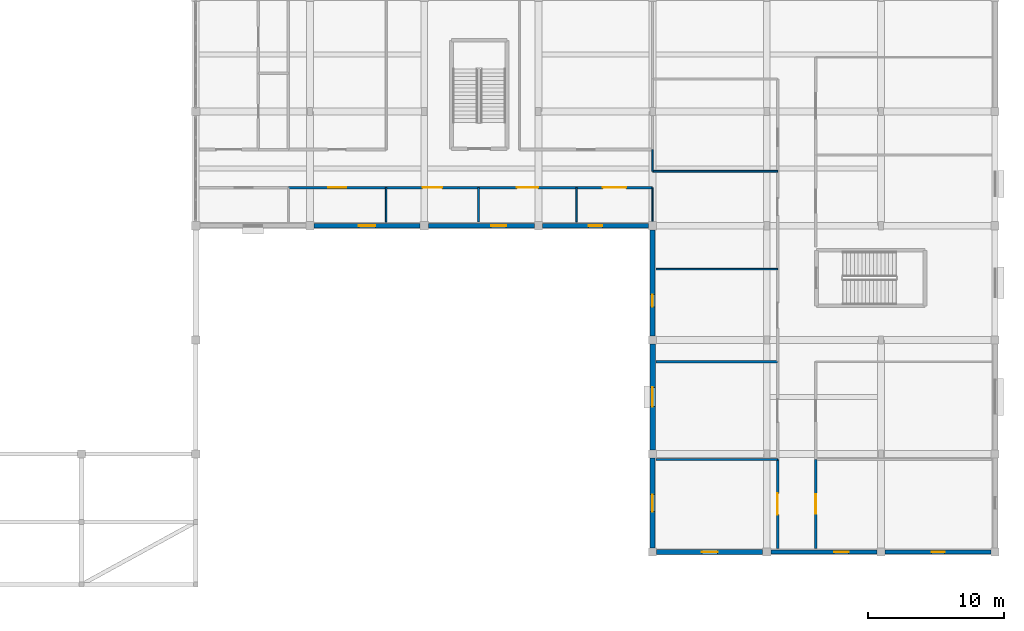
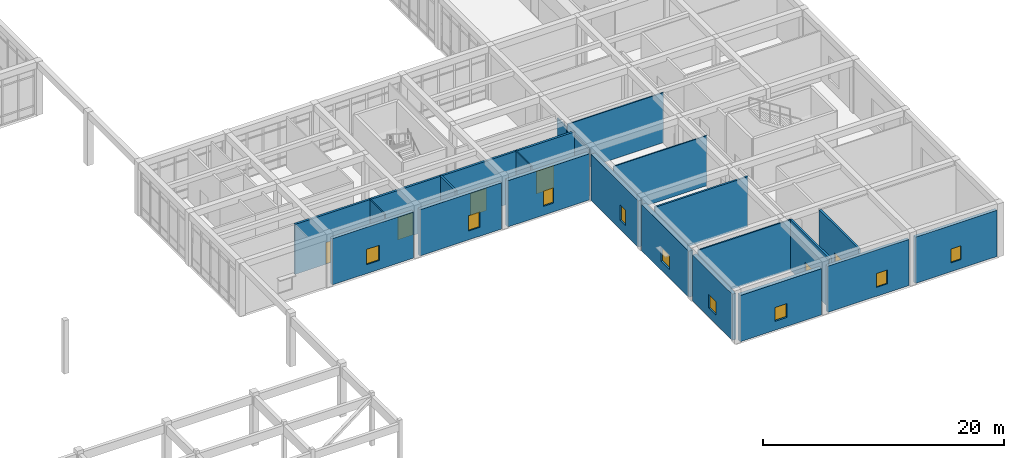
# One storey, part 64 of 89: 24 walls, 9 windows, 6 doors, 15 openings.
"""IFC4 building model written with IfcOpenShell, lengths in metres."""

from ifc_helpers import new_model, si_unit, direction, frame, frame_2d, origin, place, context, subcontext, project, spatial, rectangle, extrude, material, layer, layer_set, type_object, element, fill, save


model = new_model("IFC4")

# Units and contexts
model_context = context("Model", 3, precision=1e-05, world=origin(), true_north=direction((0.0, 1.0)))
body_context = subcontext(model_context, "Body", "Model", "MODEL_VIEW")
ifc_project = project(units=[si_unit("LENGTHUNIT", "METRE"), si_unit("AREAUNIT", "SQUARE_METRE"), si_unit("VOLUMEUNIT", "CUBIC_METRE"), si_unit("PLANEANGLEUNIT", "RADIAN"), si_unit("MASSUNIT", "GRAM", prefix="KILO")], contexts=[model_context])

# Site, building, storey
site_placement = place(None, origin())
site = spatial("IfcSite", under=ifc_project, at=site_placement, CompositionType="ELEMENT")
building_placement = place(site_placement, origin())
building = spatial("IfcBuilding", under=site, at=building_placement, Name="Varncliffe General Hospital", CompositionType="ELEMENT")
storey_placement = place(building_placement, frame((0.0, 0.0, 10.800048828125)))
storey = spatial("IfcBuildingStorey", under=building, at=storey_placement, Name="L02", CompositionType="ELEMENT", Elevation=10.800048828125)

# Wall, opening, window
ifc_material_1 = material(Name="Precast concrete C40/50 with insulated cream lime-cement stucco", Category="concrete")
ifc_layer_1 = layer(ifc_material_1, 0.31005859375)
ifc_layer_set_1 = layer_set([ifc_layer_1], Name="Precast concrete C40/50 with insulated cream lime-cement stucco")
wall_type_1 = type_object("IfcWallType", Name="Exterior Insulated Stucco Wall EW20 (310mm)", PredefinedType="SOLIDWALL", material=ifc_layer_set_1)
wall_1_placement = place(storey_placement, frame((176.10205078125, 0.0, 0.0), z_axis=(0.0, 0.0, 1.0), x_axis=(-1.0, 0.0, 0.0)))
wall_1 = element("IfcWall", 1, at=wall_1_placement, inside=storey, type_object=wall_type_1, Name="L02 Exterior Stucco Wall EW20-211", PredefinedType="SOLIDWALL", context=body_context, shape_type="SweptSolid", body=[
    extrude(rectangle(XDim=7.803955078125, YDim=0.31005859375, at=frame_2d((3.90185546875, 0.0))), origin(), (0.0, 0.0, 1.0), 4.679931640625),
])
opening_1_placement = place(wall_1_placement, frame((3.427001953125, 0.0, 0.89990234375)))
opening_1 = element("IfcOpeningElement", 2, at=opening_1_placement, cuts=wall_1, Name="Opening WN39", PredefinedType="OPENING", context=body_context, shape_type="SweptSolid", body=[
    extrude(rectangle(XDim=0.949951171875, YDim=1.39990234375, at=frame_2d((0.47509765625, 0.699951171875))), frame((0.0, 0.1650390625, 0.0), z_axis=(0.0, -1.0, 0.0), x_axis=(1.0, 0.0, 0.0)), (0.0, 0.0, 1.0), 0.330078125),
])
ifc_material_2 = material(Name="Triple low-E argon insulated vision glazing", Category="glass")
window_type_1 = type_object("IfcWindowType", Name="Triple-Glazed Hospital Window WN39 (950x1400)", PartitioningType="SINGLE_PANEL", PredefinedType="WINDOW", material=ifc_material_2)
window_1_placement = place(opening_1_placement, origin())
window_1 = element("IfcWindow", 3, at=window_1_placement, inside=storey, type_object=window_type_1, Name="L02 Hospital Window WN39-134", OverallHeight=1.39990234375, OverallWidth=0.949951171875, PartitioningType="SINGLE_PANEL", PredefinedType="WINDOW", context=body_context, shape_type="SweptSolid", body=[
    extrude(rectangle(XDim=0.949951171875, YDim=1.39990234375, at=frame_2d((0.47509765625, 0.699951171875))), frame((0.0, 0.030029296875, 0.0), z_axis=(0.0, -1.0, 0.0), x_axis=(1.0, 0.0, 0.0)), (0.0, 0.0, 1.0), 0.06005859375),
])
fill(opening_1, window_1)

wall_2_placement = place(storey_placement, frame((134.10205078125, 24.0, 0.0), z_axis=(0.0, 0.0, 1.0), x_axis=(-1.0, 0.0, 0.0)))
wall_2 = element("IfcWall", 4, at=wall_2_placement, inside=storey, type_object=wall_type_1, Name="L02 Exterior Stucco Wall EW20-219", PredefinedType="SOLIDWALL", context=body_context, shape_type="SweptSolid", body=[
    extrude(rectangle(XDim=7.803955078125, YDim=0.31005859375, at=frame_2d((3.90185546875, 0.0))), origin(), (0.0, 0.0, 1.0), 4.679931640625),
])
opening_2_placement = place(wall_2_placement, frame((3.302001953125, 0.0, 0.89990234375)))
opening_2 = element("IfcOpeningElement", 5, at=opening_2_placement, cuts=wall_2, Name="Opening WN33", PredefinedType="OPENING", context=body_context, shape_type="SweptSolid", body=[
    extrude(rectangle(XDim=1.199951171875, YDim=1.550048828125, at=frame_2d((0.60009765625, 0.77490234375))), frame((0.0, 0.1650390625, 0.0), z_axis=(0.0, -1.0, 0.0), x_axis=(1.0, 0.0, 0.0)), (0.0, 0.0, 1.0), 0.330078125),
])
window_type_2 = type_object("IfcWindowType", Name="Triple-Glazed Hospital Window WN33 (1200x1550)", PartitioningType="SINGLE_PANEL", PredefinedType="WINDOW", material=ifc_material_2)
window_2_placement = place(opening_2_placement, origin())
window_2 = element("IfcWindow", 6, at=window_2_placement, inside=storey, type_object=window_type_2, Name="L02 Hospital Window WN33-142", OverallHeight=1.550048828125, OverallWidth=1.199951171875, PartitioningType="SINGLE_PANEL", PredefinedType="WINDOW", context=body_context, shape_type="SweptSolid", body=[
    extrude(rectangle(XDim=1.199951171875, YDim=1.550048828125, at=frame_2d((0.60009765625, 0.77490234375))), frame((0.0, 0.030029296875, 0.0), z_axis=(0.0, -1.0, 0.0), x_axis=(1.0, 0.0, 0.0)), (0.0, 0.0, 1.0), 0.06005859375),
])
fill(opening_2, window_2)

ifc_layer_2 = layer(ifc_material_1, 0.3798828125)
ifc_layer_set_2 = layer_set([ifc_layer_2], Name="Precast concrete C40/50 with insulated cream lime-cement stucco")
wall_type_2 = type_object("IfcWallType", Name="Exterior Insulated Stucco Wall EW26 (380mm)", PredefinedType="SOLIDWALL", material=ifc_layer_set_2)
wall_3_placement = place(storey_placement, frame((159.302001953125, 0.0, 0.0), z_axis=(0.0, 0.0, 1.0), x_axis=(-1.0, 0.0, 0.0)))
wall_3 = element("IfcWall", 7, at=wall_3_placement, inside=storey, type_object=wall_type_2, Name="L02 Exterior Stucco Wall EW26-213", PredefinedType="SOLIDWALL", context=body_context, shape_type="SweptSolid", body=[
    extrude(rectangle(XDim=7.803955078125, YDim=0.3798828125, at=frame_2d((3.90185546875, 0.0))), origin(), (0.0, 0.0, 1.0), 4.679931640625),
])
opening_3_placement = place(wall_3_placement, frame((3.326904296875, 0.0, 0.89990234375)))
opening_3 = element("IfcOpeningElement", 8, at=opening_3_placement, cuts=wall_3, Name="Opening WN62", PredefinedType="OPENING", context=body_context, shape_type="SweptSolid", body=[
    extrude(rectangle(XDim=1.14990234375, YDim=1.39990234375, at=frame_2d((0.574951171875, 0.699951171875))), frame((0.0, 0.199951171875, 0.0), z_axis=(0.0, -1.0, 0.0), x_axis=(1.0, 0.0, 0.0)), (0.0, 0.0, 1.0), 0.39990234375),
])
window_type_3 = type_object("IfcWindowType", Name="Triple-Glazed Hospital Window WN62 (1150x1400)", PartitioningType="SINGLE_PANEL", PredefinedType="WINDOW", material=ifc_material_2)
window_3_placement = place(opening_3_placement, origin())
window_3 = element("IfcWindow", 9, at=window_3_placement, inside=storey, type_object=window_type_3, Name="L02 Hospital Window WN62-136", OverallHeight=1.39990234375, OverallWidth=1.14990234375, PartitioningType="SINGLE_PANEL", PredefinedType="WINDOW", context=body_context, shape_type="SweptSolid", body=[
    extrude(rectangle(XDim=1.14990234375, YDim=1.39990234375, at=frame_2d((0.574951171875, 0.699951171875))), frame((0.0, 0.030029296875, 0.0), z_axis=(0.0, -1.0, 0.0), x_axis=(1.0, 0.0, 0.0)), (0.0, 0.0, 1.0), 0.06005859375),
])
fill(opening_3, window_3)

wall_4_placement = place(storey_placement, frame((151.199951171875, 15.89794921875, 0.0), z_axis=(0.0, 0.0, 1.0), x_axis=(0.0, 1.0, 0.0)))
wall_4 = element("IfcWall", 10, at=wall_4_placement, inside=storey, type_object=wall_type_2, Name="L02 Exterior Stucco Wall EW26-216", PredefinedType="SOLIDWALL", context=body_context, shape_type="SweptSolid", body=[
    extrude(rectangle(XDim=7.803955078125, YDim=0.3798828125, at=frame_2d((3.90185546875, 0.0))), origin(), (0.0, 0.0, 1.0), 4.679931640625),
])
opening_4_placement = place(wall_4_placement, frame((2.131103515625, 0.0, 0.89990234375)))
opening_4 = element("IfcOpeningElement", 11, at=opening_4_placement, cuts=wall_4, Name="Opening WN45", PredefinedType="OPENING", context=body_context, shape_type="SweptSolid", body=[
    extrude(rectangle(XDim=0.89990234375, YDim=1.550048828125, at=frame_2d((0.449951171875, 0.77490234375))), frame((0.0, 0.199951171875, 0.0), z_axis=(0.0, -1.0, 0.0), x_axis=(1.0, 0.0, 0.0)), (0.0, 0.0, 1.0), 0.39990234375),
])
window_type_4 = type_object("IfcWindowType", Name="Triple-Glazed Hospital Window WN45 (900x1550)", PartitioningType="SINGLE_PANEL", PredefinedType="WINDOW", material=ifc_material_2)
window_4_placement = place(opening_4_placement, origin())
window_4 = element("IfcWindow", 12, at=window_4_placement, inside=storey, type_object=window_type_4, Name="L02 Hospital Window WN45-139", OverallHeight=1.550048828125, OverallWidth=0.89990234375, PartitioningType="SINGLE_PANEL", PredefinedType="WINDOW", context=body_context, shape_type="SweptSolid", body=[
    extrude(rectangle(XDim=0.89990234375, YDim=1.550048828125, at=frame_2d((0.449951171875, 0.77490234375))), frame((0.0, 0.030029296875, 0.0), z_axis=(0.0, -1.0, 0.0), x_axis=(1.0, 0.0, 0.0)), (0.0, 0.0, 1.0), 0.06005859375),
])
fill(opening_4, window_4)

ifc_layer_3 = layer(ifc_material_1, 0.2900390625)
ifc_layer_set_3 = layer_set([ifc_layer_3], Name="Precast concrete C40/50 with insulated cream lime-cement stucco")
wall_type_3 = type_object("IfcWallType", Name="Exterior Insulated Stucco Wall EW31 (290mm)", PredefinedType="SOLIDWALL", material=ifc_layer_set_3)
wall_5_placement = place(storey_placement, frame((167.701904296875, 0.0, 0.0), z_axis=(0.0, 0.0, 1.0), x_axis=(-1.0, 0.0, 0.0)))
wall_5 = element("IfcWall", 13, at=wall_5_placement, inside=storey, type_object=wall_type_3, Name="L02 Exterior Stucco Wall EW31-212", PredefinedType="SOLIDWALL", context=body_context, shape_type="SweptSolid", body=[
    extrude(rectangle(XDim=7.803955078125, YDim=0.2900390625, at=frame_2d((3.90185546875, 0.0))), origin(), (0.0, 0.0, 1.0), 4.679931640625),
])
opening_5_placement = place(wall_5_placement, frame((2.089111328125, 0.0, 0.89990234375)))
opening_5 = element("IfcOpeningElement", 14, at=opening_5_placement, cuts=wall_5, Name="Opening WN68", PredefinedType="OPENING", context=body_context, shape_type="SweptSolid", body=[
    extrude(rectangle(XDim=1.050048828125, YDim=1.39990234375, at=frame_2d((0.52490234375, 0.699951171875))), frame((0.0, 0.155029296875, 0.0), z_axis=(0.0, -1.0, 0.0), x_axis=(1.0, 0.0, 0.0)), (0.0, 0.0, 1.0), 0.31005859375),
])
window_type_5 = type_object("IfcWindowType", Name="Triple-Glazed Hospital Window WN68 (1050x1400)", PartitioningType="SINGLE_PANEL", PredefinedType="WINDOW", material=ifc_material_2)
window_5_placement = place(opening_5_placement, origin())
window_5 = element("IfcWindow", 15, at=window_5_placement, inside=storey, type_object=window_type_5, Name="L02 Hospital Window WN68-135", OverallHeight=1.39990234375, OverallWidth=1.050048828125, PartitioningType="SINGLE_PANEL", PredefinedType="WINDOW", context=body_context, shape_type="SweptSolid", body=[
    extrude(rectangle(XDim=1.050048828125, YDim=1.39990234375, at=frame_2d((0.52490234375, 0.699951171875))), frame((0.0, 0.030029296875, 0.0), z_axis=(0.0, -1.0, 0.0), x_axis=(1.0, 0.0, 0.0)), (0.0, 0.0, 1.0), 0.06005859375),
])
fill(opening_5, window_5)

ifc_layer_4 = layer(ifc_material_1, 0.330078125)
ifc_layer_set_4 = layer_set([ifc_layer_4], Name="Precast concrete C40/50 with insulated cream lime-cement stucco")
wall_type_4 = type_object("IfcWallType", Name="Exterior Insulated Stucco Wall EW33 (330mm)", PredefinedType="SOLIDWALL", material=ifc_layer_set_4)
wall_6_placement = place(storey_placement, frame((142.501953125, 24.0, 0.0), z_axis=(0.0, 0.0, 1.0), x_axis=(-1.0, 0.0, 0.0)))
wall_6 = element("IfcWall", 16, at=wall_6_placement, inside=storey, type_object=wall_type_4, Name="L02 Exterior Stucco Wall EW33-218", PredefinedType="SOLIDWALL", context=body_context, shape_type="SweptSolid", body=[
    extrude(rectangle(XDim=7.803955078125, YDim=0.330078125, at=frame_2d((3.90185546875, 0.0))), origin(), (0.0, 0.0, 1.0), 4.679931640625),
])
opening_6_placement = place(wall_6_placement, frame((2.0751953125, 0.0, 0.89990234375)))
opening_6 = element("IfcOpeningElement", 17, at=opening_6_placement, cuts=wall_6, Name="Opening WN69", PredefinedType="OPENING", context=body_context, shape_type="SweptSolid", body=[
    extrude(rectangle(XDim=1.10009765625, YDim=1.550048828125, at=frame_2d((0.550048828125, 0.77490234375))), frame((0.0, 0.175048828125, 0.0), z_axis=(0.0, -1.0, 0.0), x_axis=(1.0, 0.0, 0.0)), (0.0, 0.0, 1.0), 0.35009765625),
])
window_type_6 = type_object("IfcWindowType", Name="Triple-Glazed Hospital Window WN69 (1100x1550)", PartitioningType="SINGLE_PANEL", PredefinedType="WINDOW", material=ifc_material_2)
window_6_placement = place(opening_6_placement, origin())
window_6 = element("IfcWindow", 18, at=window_6_placement, inside=storey, type_object=window_type_6, Name="L02 Hospital Window WN69-141", OverallHeight=1.550048828125, OverallWidth=1.10009765625, PartitioningType="SINGLE_PANEL", PredefinedType="WINDOW", context=body_context, shape_type="SweptSolid", body=[
    extrude(rectangle(XDim=1.10009765625, YDim=1.550048828125, at=frame_2d((0.550048828125, 0.77490234375))), frame((0.0, 0.030029296875, 0.0), z_axis=(0.0, -1.0, 0.0), x_axis=(1.0, 0.0, 0.0)), (0.0, 0.0, 1.0), 0.06005859375),
])
fill(opening_6, window_6)

ifc_layer_5 = layer(ifc_material_1, 0.35009765625)
ifc_layer_set_5 = layer_set([ifc_layer_5], Name="Precast concrete C40/50 with insulated cream lime-cement stucco")
wall_type_5 = type_object("IfcWallType", Name="Exterior Insulated Stucco Wall EW37 (350mm)", PredefinedType="SOLIDWALL", material=ifc_layer_set_5)
wall_7_placement = place(storey_placement, frame((151.199951171875, 0.298095703125, 0.0), z_axis=(0.0, 0.0, 1.0), x_axis=(0.0, 1.0, 0.0)))
wall_7 = element("IfcWall", 19, at=wall_7_placement, inside=storey, type_object=wall_type_5, Name="L02 Exterior Stucco Wall EW37-214", PredefinedType="SOLIDWALL", context=body_context, shape_type="SweptSolid", body=[
    extrude(rectangle(XDim=6.60400390625, YDim=0.35009765625, at=frame_2d((3.302001953125, 0.0))), origin(), (0.0, 0.0, 1.0), 4.679931640625),
])
opening_7_placement = place(wall_7_placement, frame((2.677001953125, 0.0, 0.89990234375)))
opening_7 = element("IfcOpeningElement", 20, at=opening_7_placement, cuts=wall_7, Name="Opening WN43", PredefinedType="OPENING", context=body_context, shape_type="SweptSolid", body=[
    extrude(rectangle(XDim=1.25, YDim=1.39990234375, at=frame_2d((0.625, 0.699951171875))), frame((0.0, 0.18505859375, 0.0), z_axis=(0.0, -1.0, 0.0), x_axis=(1.0, 0.0, 0.0)), (0.0, 0.0, 1.0), 0.3701171875),
])
window_type_7 = type_object("IfcWindowType", Name="Triple-Glazed Hospital Window WN43 (1250x1400)", PartitioningType="SINGLE_PANEL", PredefinedType="WINDOW", material=ifc_material_2)
window_7_placement = place(opening_7_placement, origin())
window_7 = element("IfcWindow", 21, at=window_7_placement, inside=storey, type_object=window_type_7, Name="L02 Hospital Window WN43-137", OverallHeight=1.39990234375, OverallWidth=1.25, PartitioningType="SINGLE_PANEL", PredefinedType="WINDOW", context=body_context, shape_type="SweptSolid", body=[
    extrude(rectangle(XDim=1.25, YDim=1.39990234375, at=frame_2d((0.625, 0.699951171875))), frame((0.0, 0.030029296875, 0.0), z_axis=(0.0, -1.0, 0.0), x_axis=(1.0, 0.0, 0.0)), (0.0, 0.0, 1.0), 0.06005859375),
])
fill(opening_7, window_7)

wall_8_placement = place(storey_placement, frame((150.902099609375, 24.0, 0.0), z_axis=(0.0, 0.0, 1.0), x_axis=(-1.0, 0.0, 0.0)))
wall_8 = element("IfcWall", 22, at=wall_8_placement, inside=storey, type_object=wall_type_5, Name="L02 Exterior Stucco Wall EW37-217", PredefinedType="SOLIDWALL", context=body_context, shape_type="SweptSolid", body=[
    extrude(rectangle(XDim=7.80419921875, YDim=0.35009765625, at=frame_2d((3.902099609375, 0.0))), origin(), (0.0, 0.0, 1.0), 4.679931640625),
])
opening_8_placement = place(wall_8_placement, frame((3.402099609375, 0.0, 0.89990234375)))
opening_8 = element("IfcOpeningElement", 23, at=opening_8_placement, cuts=wall_8, Name="Opening WN21", PredefinedType="OPENING", context=body_context, shape_type="SweptSolid", body=[
    extrude(rectangle(XDim=1.0, YDim=1.550048828125, at=frame_2d((0.5, 0.77490234375))), frame((0.0, 0.18505859375, 0.0), z_axis=(0.0, -1.0, 0.0), x_axis=(1.0, 0.0, 0.0)), (0.0, 0.0, 1.0), 0.3701171875),
])
window_type_8 = type_object("IfcWindowType", Name="Triple-Glazed Hospital Window WN21 (1000x1550)", PartitioningType="SINGLE_PANEL", PredefinedType="WINDOW", material=ifc_material_2)
window_8_placement = place(opening_8_placement, origin())
window_8 = element("IfcWindow", 24, at=window_8_placement, inside=storey, type_object=window_type_8, Name="L02 Hospital Window WN21-140", OverallHeight=1.550048828125, OverallWidth=1.0, PartitioningType="SINGLE_PANEL", PredefinedType="WINDOW", context=body_context, shape_type="SweptSolid", body=[
    extrude(rectangle(XDim=1.0, YDim=1.550048828125, at=frame_2d((0.5, 0.77490234375))), frame((0.0, 0.030029296875, 0.0), z_axis=(0.0, -1.0, 0.0), x_axis=(1.0, 0.0, 0.0)), (0.0, 0.0, 1.0), 0.06005859375),
])
fill(opening_8, window_8)

ifc_layer_6 = layer(ifc_material_1, 0.39990234375)
ifc_layer_set_6 = layer_set([ifc_layer_6], Name="Precast concrete C40/50 with insulated cream lime-cement stucco")
wall_type_6 = type_object("IfcWallType", Name="Exterior Insulated Stucco Wall EW47 (400mm)", PredefinedType="SOLIDWALL", material=ifc_layer_set_6)
wall_9_placement = place(storey_placement, frame((151.199951171875, 7.498046875, 0.0), z_axis=(0.0, 0.0, 1.0), x_axis=(0.0, 1.0, 0.0)))
wall_9 = element("IfcWall", 25, at=wall_9_placement, inside=storey, type_object=wall_type_6, Name="L02 Exterior Stucco Wall EW47-215", PredefinedType="SOLIDWALL", context=body_context, shape_type="SweptSolid", body=[
    extrude(rectangle(XDim=7.803955078125, YDim=0.39990234375, at=frame_2d((3.90185546875, 0.0))), origin(), (0.0, 0.0, 1.0), 4.679931640625),
])
opening_9_placement = place(wall_9_placement, frame((3.201904296875, 0.0, 0.89990234375)))
opening_9 = element("IfcOpeningElement", 26, at=opening_9_placement, cuts=wall_9, Name="Opening WN76", PredefinedType="OPENING", context=body_context, shape_type="SweptSolid", body=[
    extrude(rectangle(XDim=1.39990234375, YDim=1.39990234375, at=frame_2d((0.699951171875, 0.699951171875))), frame((0.0, 0.2099609375, 0.0), z_axis=(0.0, -1.0, 0.0), x_axis=(1.0, 0.0, 0.0)), (0.0, 0.0, 1.0), 0.419921875),
])
window_type_9 = type_object("IfcWindowType", Name="Triple-Glazed Hospital Window WN76 (1400x1400)", PartitioningType="SINGLE_PANEL", PredefinedType="WINDOW", material=ifc_material_2)
window_9_placement = place(opening_9_placement, origin())
window_9 = element("IfcWindow", 27, at=window_9_placement, inside=storey, type_object=window_type_9, Name="L02 Hospital Window WN76-138", OverallHeight=1.39990234375, OverallWidth=1.39990234375, PartitioningType="SINGLE_PANEL", PredefinedType="WINDOW", context=body_context, shape_type="SweptSolid", body=[
    extrude(rectangle(XDim=1.39990234375, YDim=1.39990234375, at=frame_2d((0.699951171875, 0.699951171875))), frame((0.0, 0.030029296875, 0.0), z_axis=(0.0, -1.0, 0.0), x_axis=(1.0, 0.0, 0.0)), (0.0, 0.0, 1.0), 0.06005859375),
])
fill(opening_9, window_9)

# Walls
ifc_material_3 = material(Name="Acoustic clinical gypsum stud partition assembly", Category="gypsum")
ifc_layer_7 = layer(ifc_material_3, 0.1298828125)
ifc_layer_set_7 = layer_set([ifc_layer_7], Name="Acoustic clinical gypsum stud partition assembly")
wall_type_7 = type_object("IfcWallType", Name="Interior Partitioning IW11 (130mm)", PredefinedType="PARTITIONING", material=ifc_layer_set_7)
wall_10_placement = place(storey_placement, frame((151.4599609375, 6.800048828125, 0.0), z_axis=(0.0, 0.0, 1.0), x_axis=(1.0, 0.0, 0.0)))
element("IfcWall", 28, at=wall_10_placement, inside=storey, type_object=wall_type_7, Name="L02 Interior Partition Wall IW11-893", PredefinedType="PARTITIONING", context=body_context, shape_type="SweptSolid", body=[
    extrude(rectangle(XDim=8.93994140625, YDim=0.1298828125, at=frame_2d((4.469970703125, 0.0))), origin(), (0.0, 0.0, 1.0), 5.070068359375),
])
wall_11_placement = place(storey_placement, frame((151.199951171875, 28.0, 0.0), z_axis=(0.0, 0.0, 1.0), x_axis=(1.0, 0.0, 0.0)))
element("IfcWall", 29, at=wall_11_placement, inside=storey, type_object=wall_type_7, Name="L02 Interior Partition Wall IW11-903", PredefinedType="PARTITIONING", context=body_context, shape_type="SweptSolid", body=[
    extrude(rectangle(XDim=9.199951171875, YDim=0.1298828125, at=frame_2d((4.60009765625, 0.0))), origin(), (0.0, 0.0, 1.0), 5.070068359375),
])
ifc_layer_8 = layer(ifc_material_3, 0.169921875)
ifc_layer_set_8 = layer_set([ifc_layer_8], Name="Acoustic clinical gypsum stud partition assembly")
wall_type_8 = type_object("IfcWallType", Name="Interior Partitioning IW20 (170mm)", PredefinedType="PARTITIONING", material=ifc_layer_set_8)
wall_12_placement = place(storey_placement, frame((151.4599609375, 14.0, 0.0), z_axis=(0.0, 0.0, 1.0), x_axis=(1.0, 0.0, 0.0)))
element("IfcWall", 30, at=wall_12_placement, inside=storey, type_object=wall_type_8, Name="L02 Interior Partition Wall IW20-895", PredefinedType="PARTITIONING", context=body_context, shape_type="SweptSolid", body=[
    extrude(rectangle(XDim=8.93994140625, YDim=0.169921875, at=frame_2d((4.469970703125, 0.0))), origin(), (0.0, 0.0, 1.0), 5.070068359375),
])
wall_13_placement = place(storey_placement, frame((138.39990234375, 24.260009765625, 0.0), z_axis=(0.0, 0.0, 1.0), x_axis=(0.0, 1.0, 0.0)))
element("IfcWall", 31, at=wall_13_placement, inside=storey, type_object=wall_type_8, Name="L02 Interior Partition Wall IW20-1255", PredefinedType="PARTITIONING", context=body_context, shape_type="SweptSolid", body=[
    extrude(rectangle(XDim=2.5400390625, YDim=0.169921875, at=frame_2d((1.27001953125, 0.0))), origin(), (0.0, 0.0, 1.0), 5.070068359375),
])
ifc_layer_9 = layer(ifc_material_3, 0.090087890625)
ifc_layer_set_9 = layer_set([ifc_layer_9], Name="Acoustic clinical gypsum stud partition assembly")
wall_type_9 = type_object("IfcWallType", Name="Interior Partitioning IW42 (90mm)", PredefinedType="PARTITIONING", material=ifc_layer_set_9)
wall_14_placement = place(storey_placement, frame((151.199951171875, 24.31494140625, 0.0), z_axis=(0.0, 0.0, 1.0), x_axis=(0.0, 1.0, 0.0)))
element("IfcWall", 32, at=wall_14_placement, inside=storey, type_object=wall_type_9, Name="L02 Interior Partition Wall IW42-1271", PredefinedType="PARTITIONING", context=body_context, shape_type="SweptSolid", body=[
    extrude(rectangle(XDim=2.485107421875, YDim=0.090087890625, at=frame_2d((1.24267578125, 0.0))), origin(), (0.0, 0.0, 1.0), 4.73486328125),
])
ifc_layer_10 = layer(ifc_material_3, 0.110107421875)
ifc_layer_set_10 = layer_set([ifc_layer_10], Name="Acoustic clinical gypsum stud partition assembly")
wall_type_10 = type_object("IfcWallType", Name="Interior Partitioning IW65 (110mm)", PredefinedType="PARTITIONING", material=ifc_layer_set_10)
wall_15_placement = place(storey_placement, frame((151.4599609375, 20.800048828125, 0.0), z_axis=(0.0, 0.0, 1.0), x_axis=(1.0, 0.0, 0.0)))
element("IfcWall", 33, at=wall_15_placement, inside=storey, type_object=wall_type_10, Name="L02 Interior Partition Wall IW65-897", PredefinedType="PARTITIONING", context=body_context, shape_type="SweptSolid", body=[
    extrude(rectangle(XDim=8.93994140625, YDim=0.110107421875, at=frame_2d((4.469970703125, 0.0))), origin(), (0.0, 0.0, 1.0), 5.070068359375),
])
for number, where, z_axis, x_axis, name in (
    (34, (131.60009765625, 24.260009765625, 0.0), (0.0, 0.0, 1.0), (0.0, 1.0, 0.0), "L02 Interior Partition Wall IW65-1247"),
    (35, (145.60009765625, 24.260009765625, 0.0), (0.0, 0.0, 1.0), (0.0, 1.0, 0.0), "L02 Interior Partition Wall IW65-1267"),
):
    element("IfcWall", number, at=place(storey_placement, frame(where, z_axis=z_axis, x_axis=x_axis)), inside=storey, type_object=wall_type_10, Name=name, PredefinedType="PARTITIONING", context=body_context, shape_type="SweptSolid", body=[
        extrude(rectangle(XDim=2.5400390625, YDim=0.110107421875, at=frame_2d((1.27001953125, 0.0))), origin(), (0.0, 0.0, 1.0), 5.070068359375),
    ])
wall_16_placement = place(storey_placement, frame((151.199951171875, 28.0, 0.0), z_axis=(0.0, 0.0, 1.0), x_axis=(0.0, 1.0, 0.0)))
element("IfcWall", 36, at=wall_16_placement, inside=storey, type_object=wall_type_10, Name="L02 Interior Partition Wall IW65-1272", PredefinedType="PARTITIONING", context=body_context, shape_type="SweptSolid", body=[
    extrude(rectangle(XDim=1.60009765625, YDim=0.110107421875, at=frame_2d((0.800048828125, 0.0))), origin(), (0.0, 0.0, 1.0), 4.73486328125),
])

# Wall, opening, door
ifc_material_4 = material(Name="Fire-rated gypsum and mineral-wool partition assembly", Category="gypsum")
ifc_layer_11 = layer(ifc_material_4, 0.199951171875)
ifc_layer_set_11 = layer_set([ifc_layer_11], Name="Fire-rated gypsum and mineral-wool partition assembly")
wall_type_11 = type_object("IfcWallType", Name="Interior Partitioning PW63 (200mm)", PredefinedType="PARTITIONING", material=ifc_layer_set_11)
wall_17_placement = place(storey_placement, frame((124.39990234375, 26.800048828125, 0.0), z_axis=(0.0, 0.0, 1.0), x_axis=(1.0, 0.0, 0.0)))
wall_17 = element("IfcWall", 37, at=wall_17_placement, inside=storey, type_object=wall_type_11, Name="L02 Interior Partition Wall PW63-899", PredefinedType="PARTITIONING", context=body_context, shape_type="SweptSolid", body=[
    extrude(rectangle(XDim=7.2001953125, YDim=0.199951171875, at=frame_2d((3.60009765625, 0.0))), origin(), (0.0, 0.0, 1.0), 5.070068359375),
])
opening_10_placement = place(wall_17_placement, frame((2.925048828125, 0.0, 0.0)))
opening_10 = element("IfcOpeningElement", 38, at=opening_10_placement, cuts=wall_17, Name="Opening DC85", PredefinedType="OPENING", context=body_context, shape_type="SweptSolid", body=[
    extrude(rectangle(XDim=1.35009765625, YDim=2.199951171875, at=frame_2d((0.675048828125, 1.10009765625))), frame((0.0, 0.10986328125, 0.0), z_axis=(0.0, -1.0, 0.0), x_axis=(1.0, 0.0, 0.0)), (0.0, 0.0, 1.0), 0.219970703125),
])
ifc_material_5 = material(Name="Fire-rated hospital steel-frame vision-panel door", Category="steel")
door_type_1 = type_object("IfcDoorType", Name="Interior Hospital Door DC85 (1350x2200)", OperationType="NOTDEFINED", PredefinedType="DOOR", material=ifc_material_5)
door_1_placement = place(opening_10_placement, frame((1.35009765625, 0.0, 0.0), z_axis=(0.0, 0.0, 1.0), x_axis=(-1.0, 0.0, 0.0)))
door_1 = element("IfcDoor", 39, at=door_1_placement, inside=storey, type_object=door_type_1, Name="L02 Gastroenterology Endoscopy Clinic 105 Door", OperationType="SINGLE_SWING_RIGHT", OverallHeight=2.199951171875, OverallWidth=1.35009765625, PredefinedType="DOOR", context=body_context, shape_type="SweptSolid", body=[
    extrude(rectangle(XDim=1.35009765625, YDim=2.199951171875, at=frame_2d((0.675048828125, 1.10009765625))), frame((0.0, 0.02490234375, 0.0), z_axis=(0.0, -1.0, 0.0), x_axis=(1.0, 0.0, 0.0)), (0.0, 0.0, 1.0), 0.050048828125),
])
fill(opening_10, door_1)

wall_18_placement = place(storey_placement, frame((131.60009765625, 26.800048828125, 0.0), z_axis=(0.0, 0.0, 1.0), x_axis=(1.0, 0.0, 0.0)))
wall_18 = element("IfcWall", 40, at=wall_18_placement, inside=storey, type_object=wall_type_11, Name="L02 Interior Partition Wall PW63-900", PredefinedType="PARTITIONING", context=body_context, shape_type="SweptSolid", body=[
    extrude(rectangle(XDim=6.7998046875, YDim=0.199951171875, at=frame_2d((3.39990234375, 0.0))), origin(), (0.0, 0.0, 1.0), 5.070068359375),
])
opening_11_placement = place(wall_18_placement, frame((2.675048828125, 0.0, 0.0)))
opening_11 = element("IfcOpeningElement", 41, at=opening_11_placement, cuts=wall_18, Name="Opening DC66", PredefinedType="OPENING", context=body_context, shape_type="SweptSolid", body=[
    extrude(rectangle(XDim=1.449951171875, YDim=2.25, at=frame_2d((0.72509765625, 1.125))), frame((0.0, 0.10986328125, 0.0), z_axis=(0.0, -1.0, 0.0), x_axis=(1.0, 0.0, 0.0)), (0.0, 0.0, 1.0), 0.219970703125),
])
door_type_2 = type_object("IfcDoorType", Name="Interior Hospital Door DC66 (1450x2250)", OperationType="NOTDEFINED", PredefinedType="DOOR", material=ifc_material_5)
door_2_placement = place(opening_11_placement, frame((1.449951171875, 0.0, 0.0), z_axis=(0.0, 0.0, 1.0), x_axis=(-1.0, 0.0, 0.0)))
door_2 = element("IfcDoor", 42, at=door_2_placement, inside=storey, type_object=door_type_2, Name="L02 Day Surgery Preparation and Recovery Bay 106 Door", OperationType="SINGLE_SWING_LEFT", OverallHeight=2.25, OverallWidth=1.449951171875, PredefinedType="DOOR", context=body_context, shape_type="SweptSolid", body=[
    extrude(rectangle(XDim=1.449951171875, YDim=2.25, at=frame_2d((0.72509765625, 1.125))), frame((0.0, 0.02490234375, 0.0), z_axis=(0.0, -1.0, 0.0), x_axis=(1.0, 0.0, 0.0)), (0.0, 0.0, 1.0), 0.050048828125),
])
fill(opening_11, door_2)

wall_19_placement = place(storey_placement, frame((138.39990234375, 26.800048828125, 0.0), z_axis=(0.0, 0.0, 1.0), x_axis=(1.0, 0.0, 0.0)))
wall_19 = element("IfcWall", 43, at=wall_19_placement, inside=storey, type_object=wall_type_11, Name="L02 Interior Partition Wall PW63-901", PredefinedType="PARTITIONING", context=body_context, shape_type="SweptSolid", body=[
    extrude(rectangle(XDim=7.2001953125, YDim=0.199951171875, at=frame_2d((3.60009765625, 0.0))), origin(), (0.0, 0.0, 1.0), 5.070068359375),
])
opening_12_placement = place(wall_19_placement, frame((2.824951171875, 0.0, 0.0)))
opening_12 = element("IfcOpeningElement", 44, at=opening_12_placement, cuts=wall_19, Name="Opening DC67", PredefinedType="OPENING", context=body_context, shape_type="SweptSolid", body=[
    extrude(rectangle(XDim=1.550048828125, YDim=2.25, at=frame_2d((0.77490234375, 1.125))), frame((0.0, 0.10986328125, 0.0), z_axis=(0.0, -1.0, 0.0), x_axis=(1.0, 0.0, 0.0)), (0.0, 0.0, 1.0), 0.219970703125),
])
door_type_3 = type_object("IfcDoorType", Name="Interior Hospital Door DC67 (1550x2250)", OperationType="NOTDEFINED", PredefinedType="DOOR", material=ifc_material_5)
door_3_placement = place(opening_12_placement, frame((1.550048828125, 0.0, 0.0), z_axis=(0.0, 0.0, 1.0), x_axis=(-1.0, 0.0, 0.0)))
door_3 = element("IfcDoor", 45, at=door_3_placement, inside=storey, type_object=door_type_3, Name="L02 Gastroenterology Endoscopy Clinic 107 Door", OperationType="SINGLE_SWING_RIGHT", OverallHeight=2.25, OverallWidth=1.550048828125, PredefinedType="DOOR", context=body_context, shape_type="SweptSolid", body=[
    extrude(rectangle(XDim=1.550048828125, YDim=2.25, at=frame_2d((0.77490234375, 1.125))), frame((0.0, 0.02490234375, 0.0), z_axis=(0.0, -1.0, 0.0), x_axis=(1.0, 0.0, 0.0)), (0.0, 0.0, 1.0), 0.050048828125),
])
fill(opening_12, door_3)

wall_20_placement = place(storey_placement, frame((145.60009765625, 26.800048828125, 0.0), z_axis=(0.0, 0.0, 1.0), x_axis=(1.0, 0.0, 0.0)))
wall_20 = element("IfcWall", 46, at=wall_20_placement, inside=storey, type_object=wall_type_11, Name="L02 Interior Partition Wall PW63-902", PredefinedType="PARTITIONING", context=body_context, shape_type="SweptSolid", body=[
    extrude(rectangle(XDim=5.599853515625, YDim=0.199951171875, at=frame_2d((2.7998046875, 0.0))), origin(), (0.0, 0.0, 1.0), 5.070068359375),
])
opening_13_placement = place(wall_20_placement, frame((1.949951171875, 0.0, 0.0)))
opening_13 = element("IfcOpeningElement", 47, at=opening_13_placement, cuts=wall_20, Name="Opening DC50", PredefinedType="OPENING", context=body_context, shape_type="SweptSolid", body=[
    extrude(rectangle(XDim=1.699951171875, YDim=2.300048828125, at=frame_2d((0.85009765625, 1.14990234375))), frame((0.0, 0.10986328125, 0.0), z_axis=(0.0, -1.0, 0.0), x_axis=(1.0, 0.0, 0.0)), (0.0, 0.0, 1.0), 0.219970703125),
])
door_type_4 = type_object("IfcDoorType", Name="Interior Hospital Door DC50 (1700x2300)", OperationType="NOTDEFINED", PredefinedType="DOOR", material=ifc_material_5)
door_4_placement = place(opening_13_placement, frame((1.699951171875, 0.0, 0.0), z_axis=(0.0, 0.0, 1.0), x_axis=(-1.0, 0.0, 0.0)))
door_4 = element("IfcDoor", 48, at=door_4_placement, inside=storey, type_object=door_type_4, Name="L02 Day Surgery Preparation and Recovery Bay 108 Door", OperationType="SINGLE_SWING_LEFT", OverallHeight=2.300048828125, OverallWidth=1.699951171875, PredefinedType="DOOR", context=body_context, shape_type="SweptSolid", body=[
    extrude(rectangle(XDim=1.699951171875, YDim=2.300048828125, at=frame_2d((0.85009765625, 1.14990234375))), frame((0.0, 0.02490234375, 0.0), z_axis=(0.0, -1.0, 0.0), x_axis=(1.0, 0.0, 0.0)), (0.0, 0.0, 1.0), 0.050048828125),
])
fill(opening_13, door_4)

wall_21_placement = place(storey_placement, frame((160.39990234375, 0.260009765625, 0.0), z_axis=(0.0, 0.0, 1.0), x_axis=(0.0, 1.0, 0.0)))
wall_21 = element("IfcWall", 49, at=wall_21_placement, inside=storey, type_object=wall_type_11, Name="L02 Interior Partition Wall PW63-1290", PredefinedType="PARTITIONING", context=body_context, shape_type="SweptSolid", body=[
    extrude(rectangle(XDim=6.5400390625, YDim=0.199951171875, at=frame_2d((3.27001953125, 0.0))), origin(), (0.0, 0.0, 1.0), 5.070068359375),
])
opening_14_placement = place(wall_21_placement, frame((2.4951171875, 0.0, 0.0)))
opening_14 = element("IfcOpeningElement", 50, at=opening_14_placement, cuts=wall_21, Name="Opening DC67", PredefinedType="OPENING", context=body_context, shape_type="SweptSolid", body=[
    extrude(rectangle(XDim=1.550048828125, YDim=2.25, at=frame_2d((0.77490234375, 1.125))), frame((0.0, 0.10986328125, 0.0), z_axis=(0.0, -1.0, 0.0), x_axis=(1.0, 0.0, 0.0)), (0.0, 0.0, 1.0), 0.219970703125),
])
door_5_placement = place(opening_14_placement, origin())
door_5 = element("IfcDoor", 51, at=door_5_placement, inside=storey, type_object=door_type_3, Name="L02 Day Surgery Preparation and Recovery Bay 83 Door", OperationType="SINGLE_SWING_LEFT", OverallHeight=2.25, OverallWidth=1.550048828125, PredefinedType="DOOR", context=body_context, shape_type="SweptSolid", body=[
    extrude(rectangle(XDim=1.550048828125, YDim=2.25, at=frame_2d((0.77490234375, 1.125))), frame((0.0, 0.02490234375, 0.0), z_axis=(0.0, -1.0, 0.0), x_axis=(1.0, 0.0, 0.0)), (0.0, 0.0, 1.0), 0.050048828125),
])
fill(opening_14, door_5)

wall_22_placement = place(storey_placement, frame((163.199951171875, 0.260009765625, 0.0), z_axis=(0.0, 0.0, 1.0), x_axis=(0.0, 1.0, 0.0)))
wall_22 = element("IfcWall", 52, at=wall_22_placement, inside=storey, type_object=wall_type_11, Name="L02 Interior Partition Wall PW63-1303", PredefinedType="PARTITIONING", context=body_context, shape_type="SweptSolid", body=[
    extrude(rectangle(XDim=6.5400390625, YDim=0.199951171875, at=frame_2d((3.27001953125, 0.0))), origin(), (0.0, 0.0, 1.0), 5.070068359375),
])
opening_15_placement = place(wall_22_placement, frame((2.544921875, 0.0, 0.0)))
opening_15 = element("IfcOpeningElement", 53, at=opening_15_placement, cuts=wall_22, Name="Opening DC66", PredefinedType="OPENING", context=body_context, shape_type="SweptSolid", body=[
    extrude(rectangle(XDim=1.449951171875, YDim=2.25, at=frame_2d((0.72509765625, 1.125))), frame((0.0, 0.10986328125, 0.0), z_axis=(0.0, -1.0, 0.0), x_axis=(1.0, 0.0, 0.0)), (0.0, 0.0, 1.0), 0.219970703125),
])
door_6_placement = place(opening_15_placement, frame((1.449951171875, 0.0, 0.0), z_axis=(0.0, 0.0, 1.0), x_axis=(-1.0, 0.0, 0.0)))
door_6 = element("IfcDoor", 54, at=door_6_placement, inside=storey, type_object=door_type_2, Name="L02 Day Surgery Preparation and Recovery Bay 92 Door", OperationType="SINGLE_SWING_RIGHT", OverallHeight=2.25, OverallWidth=1.449951171875, PredefinedType="DOOR", context=body_context, shape_type="SweptSolid", body=[
    extrude(rectangle(XDim=1.449951171875, YDim=2.25, at=frame_2d((0.72509765625, 1.125))), frame((0.0, 0.02490234375, 0.0), z_axis=(0.0, -1.0, 0.0), x_axis=(1.0, 0.0, 0.0)), (0.0, 0.0, 1.0), 0.050048828125),
])
fill(opening_15, door_6)

save(model, "model.ifc")
